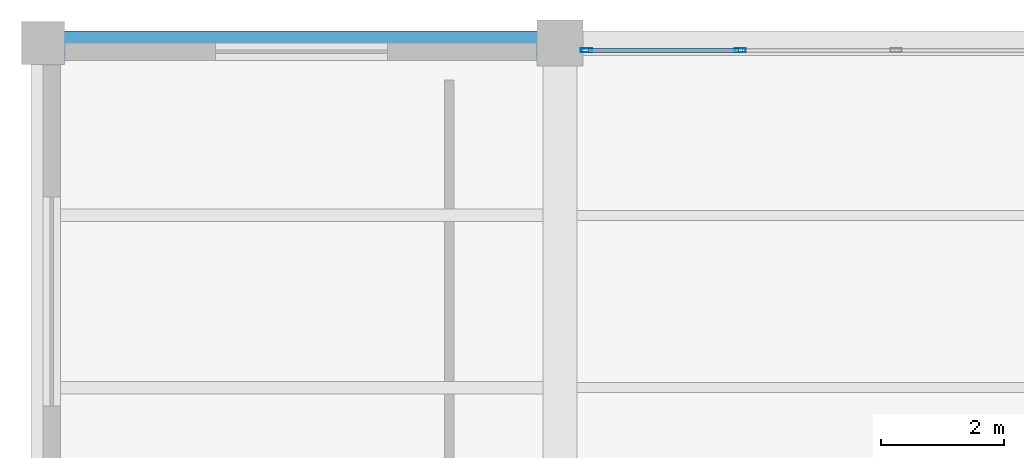
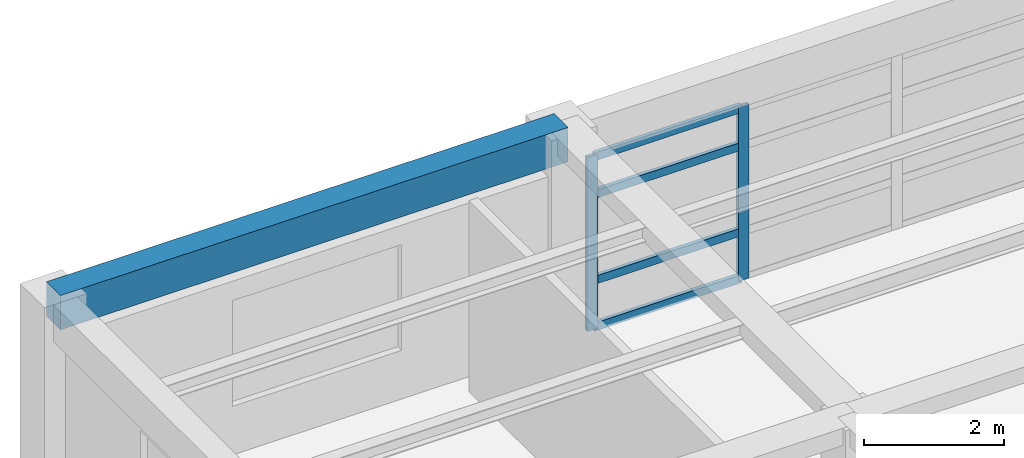
# One storey, part 16 of 26: 6 members, 1 beam, 1 element without a shape of its own.
"""IFC4 building model written with IfcOpenShell, lengths in metres."""

from ifc_helpers import new_model, si_unit, direction, frame, origin, origin_2d, place, context, subcontext, project, spatial, rectangle, hollow_rectangle, extrude, material, material_profile, profile_set, type_object, element, aggregate, save


model = new_model("IFC4")

# Units and contexts
model_context = context("Model", 3, precision=1e-05, world=origin(), true_north=direction((0.0, 1.0)))
body_context = subcontext(model_context, "Body", "Model", "MODEL_VIEW")
ifc_project = project(units=[si_unit("LENGTHUNIT", "METRE"), si_unit("AREAUNIT", "SQUARE_METRE"), si_unit("VOLUMEUNIT", "CUBIC_METRE"), si_unit("PLANEANGLEUNIT", "RADIAN"), si_unit("MASSUNIT", "GRAM", prefix="KILO")], contexts=[model_context])

# Site, building, storey
site_placement = place(None, origin())
site = spatial("IfcSite", under=ifc_project, at=site_placement, CompositionType="ELEMENT")
building_placement = place(site_placement, origin())
building = spatial("IfcBuilding", under=site, at=building_placement, Name="Almacenes y Pasaje Nevantli", CompositionType="ELEMENT")
storey_placement = place(building_placement, frame((0.0, 0.0, 38.699951171875)))
storey = spatial("IfcBuildingStorey", under=building, at=storey_placement, Name="L09", CompositionType="ELEMENT", Elevation=38.699951171875)

# Beam
ifc_material_1 = material(Name="Concrete C35/45", Category="concrete")
ifc_material_profile_1 = material_profile(ifc_material_1, rectangle(XDim=0.39990234375, YDim=0.60009765625, at=origin_2d()), Name="RC-BM-400x600")
ifc_profile_set_1 = profile_set([ifc_material_profile_1], Name="Concrete C35/45")
beam_type = type_object("IfcBeamType", Name="BM-RC-400x600", PredefinedType="SPANDREL", material=ifc_profile_set_1)
beam_placement = place(storey_placement, frame((109.199951171875, 100.800048828125, 3.420166015625), z_axis=(1.0, 0.0, 0.0), x_axis=(0.0, 1.0, 0.0)))
element("IfcBeam", 1, at=beam_placement, inside=storey, type_object=beam_type, Name="L09 East-West Reinforced Concrete Beam #3765", PredefinedType="SPANDREL", context=body_context, shape_type="SweptSolid", body=[
    extrude(rectangle(XDim=0.39990234375, YDim=0.60009765625, at=origin_2d()), origin(), (0.0, 0.0, 1.0), 8.400146484375),
])

# Curtain wall, members
ifc_material_2 = material(Name="Thermally Broken Aluminium and Low-E Glass", Category="aluminium")
curtain_wall_type = type_object("IfcCurtainWallType", Name="CW-UNIT-TOWER", PredefinedType="USERDEFINED", material=ifc_material_2)
curtain_wall_placement = place(storey_placement, origin())
curtain_wall = element("IfcCurtainWall", 2, at=curtain_wall_placement, inside=storey, type_object=curtain_wall_type, Name="L09 Tower North Boulevard Unitized Curtain Wall Bay 15", ObjectType="UNITIZED CURTAIN WALL", PredefinedType="USERDEFINED")
ifc_material_3 = material(Name="Thermally Broken Anodized Aluminium", Category="aluminium")
ifc_material_profile_2 = material_profile(ifc_material_3, hollow_rectangle(XDim=0.06494140625, YDim=0.179931640625, WallThickness=0.00390625, at=origin_2d()), Name="ALU-MUL-65x180")
ifc_profile_set_2 = profile_set([ifc_material_profile_2], Name="Thermally Broken Anodized Aluminium")
member_type_1 = type_object("IfcMemberType", Name="CW-MUL-200", PredefinedType="MULLION", material=ifc_profile_set_2)
member_1_placement = place(storey_placement, frame((118.032470703125, 100.679931640625, 0.0), z_axis=(0.0, 0.0, 1.0), x_axis=(0.0, 1.0, 0.0)))
member_1 = element("IfcMember", 3, at=member_1_placement, type_object=member_type_1, Name="CW-L09-132 mullion 1", PredefinedType="MULLION", context=body_context, shape_type="SweptSolid", body=[
    extrude(hollow_rectangle(XDim=0.06494140625, YDim=0.179931640625, WallThickness=0.00390625, at=origin_2d()), origin(), (0.0, 0.0, 1.0), 3.0400390625),
])
member_2_placement = place(storey_placement, frame((120.533447265625, 100.679931640625, 0.0), z_axis=(0.0, 0.0, 1.0), x_axis=(0.0, 1.0, 0.0)))
member_2 = element("IfcMember", 4, at=member_2_placement, type_object=member_type_1, Name="CW-L09-132 mullion 2", PredefinedType="MULLION", context=body_context, shape_type="SweptSolid", body=[
    extrude(hollow_rectangle(XDim=0.06494140625, YDim=0.179931640625, WallThickness=0.00390625, at=origin_2d()), origin(), (0.0, 0.0, 1.0), 3.0400390625),
])
ifc_material_4 = material(Name="Thermally Broken Anodized Aluminium", Category="aluminium")
ifc_material_profile_3 = material_profile(ifc_material_4, hollow_rectangle(XDim=0.06494140625, YDim=0.139892578125, WallThickness=0.00390625, at=origin_2d()), Name="ALU-TRN-65x140")
ifc_profile_set_3 = profile_set([ifc_material_profile_3], Name="Thermally Broken Anodized Aluminium")
member_type_2 = type_object("IfcMemberType", Name="CW-TRN-150", PredefinedType="USERDEFINED", material=ifc_profile_set_3)
member_3_placement = place(storey_placement, frame((118.06494140625, 100.679931640625, 0.032470703125), z_axis=(1.0, 0.0, 0.0), x_axis=(0.0, 1.0, 0.0)))
member_3 = element("IfcMember", 5, at=member_3_placement, type_object=member_type_2, Name="CW-L09-132 transom 1.1", ObjectType="TRANSOM", PredefinedType="USERDEFINED", context=body_context, shape_type="SweptSolid", body=[
    extrude(hollow_rectangle(XDim=0.06494140625, YDim=0.139892578125, WallThickness=0.00390625, at=origin_2d()), origin(), (0.0, 0.0, 1.0), 2.435791015625),
])
member_4_placement = place(storey_placement, frame((118.06494140625, 100.679931640625, 0.85009765625), z_axis=(1.0, 0.0, 0.0), x_axis=(0.0, 1.0, 0.0)))
member_4 = element("IfcMember", 6, at=member_4_placement, type_object=member_type_2, Name="CW-L09-132 transom 1.2", ObjectType="TRANSOM", PredefinedType="USERDEFINED", context=body_context, shape_type="SweptSolid", body=[
    extrude(hollow_rectangle(XDim=0.06494140625, YDim=0.139892578125, WallThickness=0.00390625, at=origin_2d()), origin(), (0.0, 0.0, 1.0), 2.435791015625),
])
member_5_placement = place(storey_placement, frame((118.06494140625, 100.679931640625, 2.35009765625), z_axis=(1.0, 0.0, 0.0), x_axis=(0.0, 1.0, 0.0)))
member_5 = element("IfcMember", 7, at=member_5_placement, type_object=member_type_2, Name="CW-L09-132 transom 1.3", ObjectType="TRANSOM", PredefinedType="USERDEFINED", context=body_context, shape_type="SweptSolid", body=[
    extrude(hollow_rectangle(XDim=0.06494140625, YDim=0.139892578125, WallThickness=0.00390625, at=origin_2d()), origin(), (0.0, 0.0, 1.0), 2.435791015625),
])
member_6_placement = place(storey_placement, frame((118.06494140625, 100.679931640625, 3.007568359375), z_axis=(1.0, 0.0, 0.0), x_axis=(0.0, 1.0, 0.0)))
member_6 = element("IfcMember", 8, at=member_6_placement, type_object=member_type_2, Name="CW-L09-132 transom 1.4", ObjectType="TRANSOM", PredefinedType="USERDEFINED", context=body_context, shape_type="SweptSolid", body=[
    extrude(hollow_rectangle(XDim=0.06494140625, YDim=0.139892578125, WallThickness=0.00390625, at=origin_2d()), origin(), (0.0, 0.0, 1.0), 2.435791015625),
])
aggregate(curtain_wall, [member_1, member_2, member_3, member_4, member_5, member_6])

save(model, "model.ifc")
